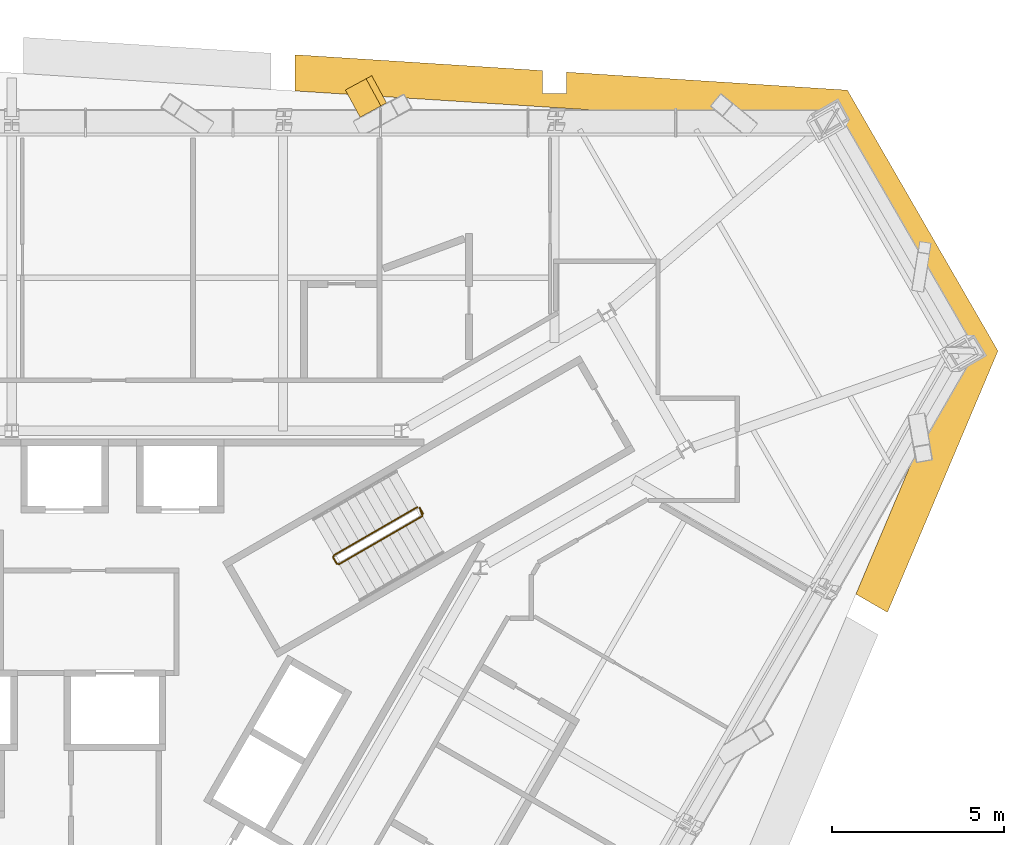
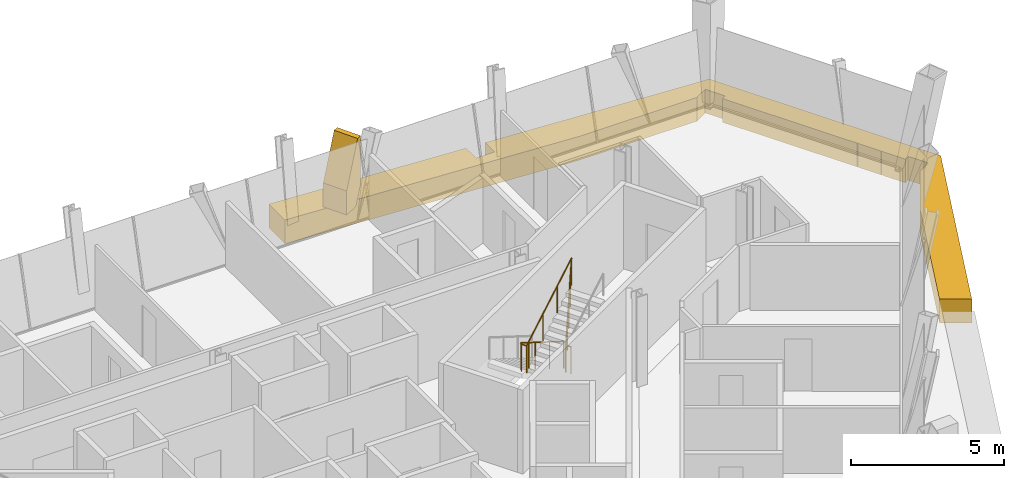
# One storey, part 13 of 13: 2 coverings, 1 railing.
"""IFC4 building model written with IfcOpenShell, lengths in metres."""

import ifcopenshell
import ifcopenshell.guid

model = None  # the IFC model being written
_history = None  # IfcOwnerHistory: only IFC2X3 demands one
_inside = {}  # id of a spatial element -> (the spatial element, [elements in it])
_under = {}  # id of a project, library or spatial element -> (it, [spatial elements below it])
_declared = {}  # id of a project -> (the project, [libraries it declares])
_typed = {}  # id of a type object -> (the type object, [elements of that type])
_made_of = {}  # id of a material, layer set ... -> (it, [elements and type objects made of it])


def new_model(schema):
    """Start an empty IFC model of exactly this schema.

    Asked for "IFC4X3", IfcOpenShell would pick the latest addendum, in which some entities
    have other attributes; the version numbers below select the first issue.
    IFC2X3 requires an IfcOwnerHistory on every rooted entity: one is made here for all.
    """
    global model, _history
    if schema == "IFC4X3":
        model = ifcopenshell.file(schema_version=(4, 3, 0, 0))
    else:
        model = ifcopenshell.file(schema=schema)
    _inside.clear()
    _under.clear()
    _declared.clear()
    _typed.clear()
    _made_of.clear()
    _history = None
    if model.schema == "IFC2X3":
        org = make("IfcOrganization", Name="unknown")
        user = make(
            "IfcPersonAndOrganization",
            ThePerson=make("IfcPerson", FamilyName="unknown"),
            TheOrganization=org,
        )
        app = make(
            "IfcApplication",
            ApplicationDeveloper=org,
            Version="unknown",
            ApplicationFullName="unknown",
            ApplicationIdentifier="unknown",
        )
        _history = make(
            "IfcOwnerHistory",
            OwningUser=user,
            OwningApplication=app,
            ChangeAction="ADDED",
            CreationDate=0,
        )
    return model


def make(cls, **values):
    """One entity of the class cls with the attributes given. An attribute that is None is left unset."""
    return model.create_entity(
        cls, **{name: value for name, value in values.items() if value is not None}
    )


def rooted(cls, **values):
    """An entity with a GlobalId (a new one), such as an element, a storey or a relation."""
    return make(cls, GlobalId=ifcopenshell.guid.new(), OwnerHistory=_history, **values)


def si_unit(unit_type, name, prefix=None):
    """IfcSIUnit, for example si_unit("LENGTHUNIT", "METRE", prefix="MILLI")."""
    return make("IfcSIUnit", UnitType=unit_type, Prefix=prefix, Name=name)


def assignment(units):
    """IfcUnitAssignment: the units of a project."""
    return None if units is None else make("IfcUnitAssignment", Units=units)


def point(xyz):
    """IfcCartesianPoint."""
    return None if xyz is None else make("IfcCartesianPoint", Coordinates=xyz)


def direction(xyz):
    """IfcDirection."""
    return None if xyz is None else make("IfcDirection", DirectionRatios=xyz)


def frame(location, z_axis=None, x_axis=None):
    """IfcAxis2Placement3D, a coordinate frame: its origin and axes. An axis left out is left unset."""
    return make(
        "IfcAxis2Placement3D",
        Location=point(location),
        Axis=direction(z_axis),
        RefDirection=direction(x_axis),
    )


def frame_2d(location, x_axis=None):
    """IfcAxis2Placement2D, a coordinate frame in the plane: its origin and x axis."""
    return make(
        "IfcAxis2Placement2D", Location=point(location), RefDirection=direction(x_axis)
    )


def origin():
    """The frame at (0, 0, 0) with its axes left unset."""
    return frame((0.0, 0.0, 0.0))


def origin_2d():
    """The frame at (0, 0) in the plane with its x axis left unset."""
    return frame_2d((0.0, 0.0))


def place(relative_to, where):
    """IfcLocalPlacement: puts the frame where relative to a parent placement (None: the world)."""
    return make(
        "IfcLocalPlacement", PlacementRelTo=relative_to, RelativePlacement=where
    )


def context(
    kind, dimensions, precision=None, world=None, true_north=None, identifier=None
):
    """IfcGeometricRepresentationContext, for example the 3D "Model" context."""
    return make(
        "IfcGeometricRepresentationContext",
        ContextIdentifier=identifier,
        ContextType=kind,
        CoordinateSpaceDimension=dimensions,
        Precision=precision,
        WorldCoordinateSystem=world,
        TrueNorth=true_north,
    )


def subcontext(parent, identifier, kind, view, scale=None):
    """IfcGeometricRepresentationSubContext, for example "Body" below "Model"."""
    return make(
        "IfcGeometricRepresentationSubContext",
        ContextIdentifier=identifier,
        ContextType=kind,
        ParentContext=parent,
        TargetScale=scale,
        TargetView=view,
    )


def project(units=None, contexts=None):
    """IfcProject with its units and contexts."""
    return rooted(
        "IfcProject",
        Name="project",
        RepresentationContexts=contexts,
        UnitsInContext=assignment(units),
    )


def spatial(cls, under=None, at=None, **own):
    """A site, building, storey or space (cls), placed at a placement, below another one or the project."""
    s = rooted(cls, ObjectPlacement=at, **own)
    if under is not None:
        _under.setdefault(under.id(), (under, []))[1].append(s)
    return s


def polyline(points):
    """IfcPolyline through the points."""
    return make("IfcPolyline", Points=[point(p) for p in points])


def profile(cls, at=None, kind="AREA", **sizes):
    """A parametric profile (cls). Its sizes go by their IFC names, for example OverallWidth=200.0."""
    return make(cls, ProfileType=kind, Position=at, **sizes)


def circle(**sizes):
    """IfcCircleProfileDef."""
    return profile("IfcCircleProfileDef", **sizes)


def outline(outer, holes=None, kind="AREA"):
    """IfcArbitraryClosedProfileDef: a profile drawn as a closed curve; with holes, ...WithVoids."""
    if holes is None:
        return make("IfcArbitraryClosedProfileDef", ProfileType=kind, OuterCurve=outer)
    return make(
        "IfcArbitraryProfileDefWithVoids",
        ProfileType=kind,
        OuterCurve=outer,
        InnerCurves=holes,
    )


def extrude(swept, where, along, depth):
    """IfcExtrudedAreaSolid: the profile swept, set in the frame where, extruded along a direction by depth."""
    return make(
        "IfcExtrudedAreaSolid",
        SweptArea=swept,
        Position=where,
        ExtrudedDirection=direction(along),
        Depth=depth,
    )


def shape(context_of_items, identifier, shape_type, items):
    """IfcShapeRepresentation: the items that make up one representation, for example the "Body"."""
    return make(
        "IfcShapeRepresentation",
        ContextOfItems=context_of_items,
        RepresentationIdentifier=identifier,
        RepresentationType=shape_type,
        Items=items,
    )


def material(Name=None, Category=None):
    """IfcMaterial."""
    return make("IfcMaterial", Name=Name, Category=Category)


def layer(
    of_material, thickness, ventilated=None, Name=None, Category=None, Priority=None
):
    """IfcMaterialLayer: one layer of a wall or slab, of a material (None: an air gap)."""
    return make(
        "IfcMaterialLayer",
        Material=of_material,
        LayerThickness=thickness,
        IsVentilated=ventilated,
        Name=Name,
        Category=Category,
        Priority=Priority,
    )


def layer_set(layers, Name=None):
    """IfcMaterialLayerSet."""
    return make("IfcMaterialLayerSet", MaterialLayers=layers, LayerSetName=Name)


def made_of(thing, what):
    """Note that an element or type object is made of a material, layer set ...; save() writes the relation."""
    if what is not None:
        _made_of.setdefault(what.id(), (what, []))[1].append(thing)
    return thing


def type_object(cls, material=None, **own):
    """A type object (cls), such as IfcWallType, which elements share."""
    return made_of(rooted(cls, **own), material)


def element(
    cls,
    number,
    at=None,
    inside=None,
    cuts=None,
    type_object=None,
    material=None,
    context=None,
    identifier="Body",
    shape_type=None,
    held_by="IfcProductDefinitionShape",
    body=None,
    shapes=None,
    **own,
):
    """One element of the class cls, such as IfcWall. Its Tag is "e" and its number.

    at: its placement. inside: the storey or other place that contains it. cuts: it is an
    opening in that element (IfcRelVoidsElement). A single representation is given by context,
    identifier, shape_type and body (its items); several are given by shapes. held_by: the class
    of the entity that holds the representations. save() writes the other relations.
    """
    e = rooted(cls, Tag="e%d" % number, ObjectPlacement=at, **own)
    if body is not None:
        shapes = [shape(context, identifier, shape_type, body)]
    if shapes is not None:
        e.Representation = make(held_by, Representations=shapes)
    if inside is not None:
        _inside.setdefault(inside.id(), (inside, []))[1].append(e)
    if cuts is not None:
        rooted(
            "IfcRelVoidsElement", RelatingBuildingElement=cuts, RelatedOpeningElement=e
        )
    if type_object is not None:
        _typed.setdefault(type_object.id(), (type_object, []))[1].append(e)
    return made_of(e, material)


def aggregate(whole, parts):
    """IfcRelAggregates: a whole, such as a stair, and the parts it consists of."""
    return rooted("IfcRelAggregates", RelatingObject=whole, RelatedObjects=parts)


def save(model, path):
    """Write the relations noted so far, then the file.

    IfcRelAggregates (storeys below a building ...), IfcRelContainedInSpatialStructure (elements
    in a storey), IfcRelDefinesByType, IfcRelAssociatesMaterial and IfcRelDeclares: one each for
    every whole, place, type object, material and project.
    """
    for whole, parts in _under.values():
        aggregate(whole, parts)
    for where, things in _inside.values():
        rooted(
            "IfcRelContainedInSpatialStructure",
            RelatedElements=things,
            RelatingStructure=where,
        )
    for kind, things in _typed.values():
        rooted("IfcRelDefinesByType", RelatedObjects=things, RelatingType=kind)
    for what, things in _made_of.values():
        rooted("IfcRelAssociatesMaterial", RelatedObjects=things, RelatingMaterial=what)
    for by, libraries in _declared.values():
        rooted("IfcRelDeclares", RelatingContext=by, RelatedDefinitions=libraries)
    model.write(path)


model = new_model("IFC4")

# Units and contexts
model_context = context("Model", 3, precision=1e-05, world=origin(), true_north=direction((0.0, 1.0)))
body_context = subcontext(model_context, "Body", "Model", "MODEL_VIEW")
ifc_project = project(units=[si_unit("LENGTHUNIT", "METRE"), si_unit("AREAUNIT", "SQUARE_METRE"), si_unit("VOLUMEUNIT", "CUBIC_METRE"), si_unit("PLANEANGLEUNIT", "RADIAN"), si_unit("MASSUNIT", "GRAM", prefix="KILO")], contexts=[model_context])

# Site, building, storey
site_placement = place(None, origin())
site = spatial("IfcSite", under=ifc_project, at=site_placement, CompositionType="ELEMENT")
building_placement = place(site_placement, origin())
building = spatial("IfcBuilding", under=site, at=building_placement, Name="Verrane Prism Tower", CompositionType="ELEMENT")
storey_placement = place(building_placement, frame((0.0, 0.0, 100.0)))
storey = spatial("IfcBuildingStorey", under=building, at=storey_placement, Name="L23", CompositionType="ELEMENT", Elevation=100.0)

# Railing
ifc_material_1 = material(Name="Steel A36 rail and posts, no infill", Category="steel")
railing_type = type_object("IfcRailingType", Name="Stair guard 1100 steel rail and posts", PredefinedType="GUARDRAIL", material=ifc_material_1)
railing_placement = place(storey_placement, frame((11.78955078125, 6.97998046875, 0.16357421875)))
element("IfcRailing", 1, at=railing_placement, inside=storey, type_object=railing_type, Name="Stair 1 guard", PredefinedType="GUARDRAIL", context=body_context, shape_type="SweptSolid", body=[
    extrude(circle(Radius=0.02392578125, at=origin_2d()), frame((0.0, 0.0, 1.076171875), z_axis=(-0.747665513933, -0.431721881032, 0.504591415616), x_axis=(0.500049511043, -0.865996816683, 0.0)), (0.0, 0.0, 1.0), 3.2431640625),
    extrude(circle(Radius=0.02392578125, at=origin_2d()), frame((-2.4248046875, -1.400146484375, 2.71240234375), z_axis=(-0.259601060869, -0.965715946433, 0.0), x_axis=(0.965715946433, -0.259601060869, 0.0)), (0.0, 0.0, 1.0), 0.070556640625),
    extrude(circle(Radius=0.02392578125, at=origin_2d()), frame((-2.443115234375, -1.46826171875, 2.71240234375), z_axis=(0.499158860599, -0.866510491504, 0.0), x_axis=(0.866510491504, 0.499158860599, 0.0)), (0.0, 0.0, 1.0), 0.199951171875),
    extrude(circle(Radius=0.02392578125, at=origin_2d()), frame((-2.34326171875, -1.6416015625, 2.71240234375), z_axis=(0.383552647116, -0.102737316192, 0.917786691313), x_axis=(0.258736085224, 0.965948051503, 0.0)), (0.0, 0.0, 1.0), 0.17822265625),
    extrude(circle(Radius=0.02392578125, at=origin_2d()), frame((-2.27490234375, -1.659912109375, 2.8759765625), z_axis=(0.747665513933, 0.431721881032, 0.504591415616), x_axis=(-0.500049511043, 0.865996816683, 0.0)), (0.0, 0.0, 1.0), 3.2431640625),
    extrude(circle(Radius=0.02392578125, at=origin_2d()), frame((0.14990234375, -0.259765625, 4.5126953125), z_axis=(-0.022593669287, 0.066901613547, -0.997503734436), x_axis=(-0.947430582667, -0.3199613899, 0.0)), (0.0, 0.0, 1.0), 3.609130859375),
    extrude(circle(Radius=0.02392578125, at=origin_2d()), frame((0.068359375, -0.018310546875, 0.91259765625), z_axis=(0.499158860599, -0.866510491504, 0.0), x_axis=(0.866510491504, 0.499158860599, 0.0)), (0.0, 0.0, 1.0), 0.199951171875),
    extrude(circle(Radius=0.02099609375, at=origin_2d()), origin(), (0.0, 0.0, 1.0), 1.052001953125),
    extrude(circle(Radius=0.02099609375, at=origin_2d()), frame((-0.808349609375, -0.466796875, 0.54541015625)), (0.0, 0.0, 1.0), 1.052001953125),
    extrude(circle(Radius=0.02099609375, at=origin_2d()), frame((-1.616455078125, -0.933349609375, 1.091064453125)), (0.0, 0.0, 1.0), 1.052001953125),
    extrude(circle(Radius=0.02099609375, at=origin_2d()), frame((-2.4248046875, -1.400146484375, 1.636474609375)), (0.0, 0.0, 1.0), 1.052001953125),
    extrude(circle(Radius=0.02099609375, at=origin_2d()), frame((-2.443115234375, -1.46826171875, 1.636474609375)), (0.0, 0.0, 1.0), 1.052001953125),
    extrude(circle(Radius=0.02099609375, at=origin_2d()), frame((-2.34326171875, -1.6416015625, 1.636474609375)), (0.0, 0.0, 1.0), 1.052001953125),
    extrude(circle(Radius=0.02099609375, at=origin_2d()), frame((-2.27490234375, -1.659912109375, 1.800048828125)), (0.0, 0.0, 1.0), 1.052001953125),
    extrude(circle(Radius=0.02099609375, at=origin_2d()), frame((-1.466552734375, -1.193115234375, 2.345458984375)), (0.0, 0.0, 1.0), 1.052001953125),
    extrude(circle(Radius=0.02099609375, at=origin_2d()), frame((-0.658447265625, -0.7265625, 2.89111328125)), (0.0, 0.0, 1.0), 1.052001953125),
    extrude(circle(Radius=0.02099609375, at=origin_2d()), frame((0.14990234375, -0.259765625, 3.4365234375)), (0.0, 0.0, 1.0), 1.052001953125),
    extrude(circle(Radius=0.02099609375, at=origin_2d()), frame((0.12939453125, -0.199462890625, 2.53662109375)), (0.0, 0.0, 1.0), 1.052001953125),
    extrude(circle(Radius=0.02099609375, at=origin_2d()), frame((0.109130859375, -0.13916015625, 1.636474609375)), (0.0, 0.0, 1.0), 1.052001953125),
    extrude(circle(Radius=0.02099609375, at=origin_2d()), frame((0.0888671875, -0.07861328125, 0.736328125)), (0.0, 0.0, 1.0), 1.052001953125),
    extrude(circle(Radius=0.02099609375, at=origin_2d()), frame((0.068359375, -0.018310546875, -0.16357421875)), (0.0, 0.0, 1.0), 1.052001953125),
    extrude(circle(Radius=0.02099609375, at=origin_2d()), frame((0.168212890625, -0.191650390625, -0.16357421875)), (0.0, 0.0, 1.0), 1.052001953125),
])

# Coverings
ifc_material_2 = material(Name="Warm limestone cladding", Category="masonry")
ifc_layer_1 = layer(ifc_material_2, 0.89990234375)
ifc_layer_set_1 = layer_set([ifc_layer_1], Name="Stone brace fin 900")
covering_type_1 = type_object("IfcCoveringType", Name="Stone brace fin 900", PredefinedType="CLADDING", material=ifc_layer_set_1)
covering_1_placement = place(storey_placement, frame((9.913818359375, 18.708740234375, 0.0), z_axis=(0.0, 0.0, 1.0), x_axis=(0.878813219656, 0.477165930214, 0.0)))
element("IfcCovering", 2, at=covering_1_placement, inside=storey, type_object=covering_type_1, Name="Stone brace fin N2 L23", PredefinedType="CLADDING", context=body_context, shape_type="SweptSolid", body=[
    extrude(outline(polyline([(0.873291015625, 2.64990234375), (0.68603515625, 2.64990234375), (0.0, 0.9560546875), (0.0, 0.0), (0.583740234375, 0.0), (0.873291015625, 0.714599609375), (0.873291015625, 2.64990234375)])), frame((0.0, 0.449951171875, 0.0), z_axis=(0.0, -1.0, 0.0), x_axis=(1.0, 0.0, 0.0)), (0.0, 0.0, 1.0), 0.89990234375),
])
ifc_material_3 = material(Name="Warm limestone cladding", Category="masonry")
ifc_layer_2 = layer(ifc_material_3, 0.449951171875)
ifc_layer_set_2 = layer_set([ifc_layer_2], Name="Stone spandrel band 450")
covering_type_2 = type_object("IfcCoveringType", Name="Stone spandrel band 450", PredefinedType="CLADDING", material=ifc_layer_set_2)
covering_2_placement = place(storey_placement, frame((0.0, 0.0, -0.949951171875)))
element("IfcCovering", 3, at=covering_2_placement, inside=storey, type_object=covering_type_2, Name="Stone spandrel band L23 part 2", PredefinedType="CLADDING", context=body_context, shape_type="SweptSolid", body=[
    extrude(outline(polyline([(8.237548828125, 19.07763671875), (18.9775390625, 18.389892578125), (23.419677734375, 18.389892578125), (23.8857421875, 18.6591796875), (24.265625, 18.0009765625), (24.11181640625, 17.912109375), (26.6572265625, 13.503662109375), (26.67626953125, 13.50048828125), (26.672607421875, 13.476806640625), (26.70654296875, 13.41796875), (26.7080078125, 13.418701171875), (26.73974609375, 13.364013671875), (26.73828125, 13.363037109375), (27.111083984375, 12.71728515625), (27.113037109375, 12.71826171875), (27.165771484375, 12.62744140625), (27.163818359375, 12.626220703125), (27.254638671875, 12.468994140625), (27.256591796875, 12.47021484375), (27.288330078125, 12.415283203125), (27.2861328125, 12.4140625), (27.567138671875, 11.927490234375), (27.7255859375, 12.01904296875), (28.105712890625, 11.36083984375), (27.638427734375, 11.091064453125), (26.55078125, 9.20751953125), (24.540283203125, 4.451416015625), (25.456787109375, 3.92236328125), (28.66845703125, 11.52001953125), (24.291015625, 19.101806640625), (16.125244140625, 19.624755859375), (16.125244140625, 19.010009765625), (15.42529296875, 19.010009765625), (15.42529296875, 19.669677734375), (8.237548828125, 20.1298828125), (8.237548828125, 19.07763671875)])), origin(), (0.0, 0.0, 1.0), 0.949951171875),
])

save(model, "model.ifc")
